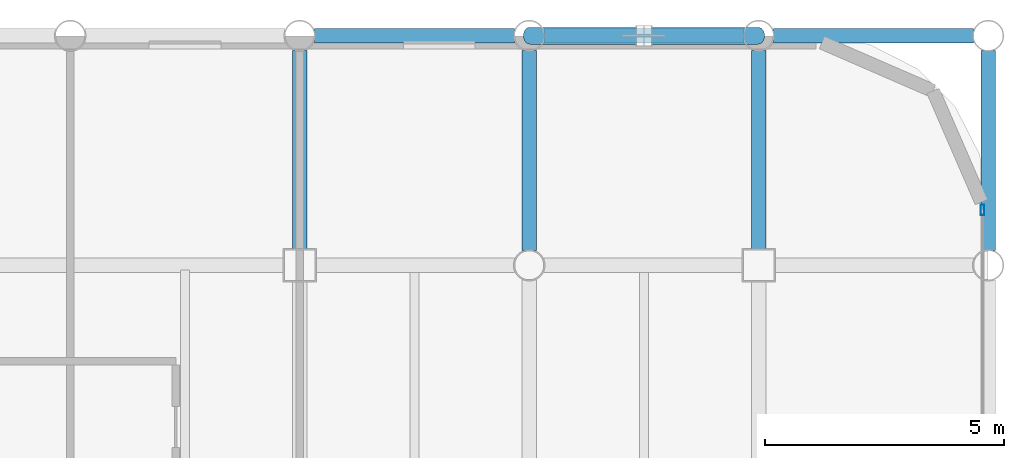
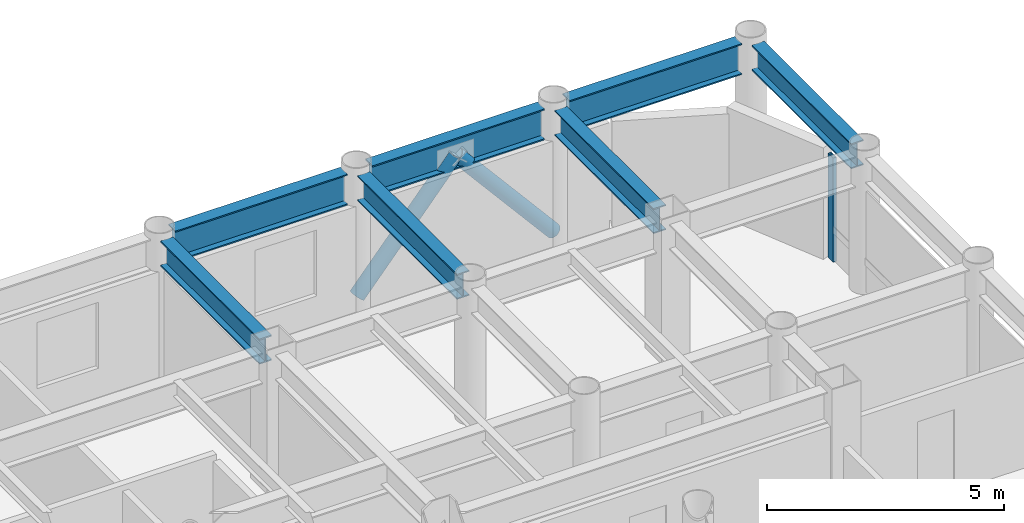
# One storey, part 14 of 20: 7 beams, 3 members, 1 element without a shape of its own.
"""IFC4 building model written with IfcOpenShell, lengths in metres."""

from ifc_helpers import new_model, si_unit, direction, frame, origin, origin_2d, place, context, subcontext, project, spatial, hollow_rectangle, hollow_circle, i_section, extrude, material, layer, layer_set, material_profile, profile_set, type_object, element, aggregate, save


model = new_model("IFC4")

# Units and contexts
model_context = context("Model", 3, precision=1e-05, world=origin(), true_north=direction((0.0, 1.0)))
body_context = subcontext(model_context, "Body", "Model", "MODEL_VIEW")
ifc_project = project(units=[si_unit("LENGTHUNIT", "METRE"), si_unit("AREAUNIT", "SQUARE_METRE"), si_unit("VOLUMEUNIT", "CUBIC_METRE"), si_unit("PLANEANGLEUNIT", "RADIAN"), si_unit("MASSUNIT", "GRAM", prefix="KILO")], contexts=[model_context])

# Site, building, storey
site_placement = place(None, origin())
site = spatial("IfcSite", under=ifc_project, at=site_placement, CompositionType="ELEMENT")
building_placement = place(site_placement, origin())
building = spatial("IfcBuilding", under=site, at=building_placement, Name="Kallvorn Hotel Tower", CompositionType="ELEMENT")
storey_placement = place(building_placement, frame((0.0, 0.0, 161.800048828125)))
storey = spatial("IfcBuildingStorey", under=building, at=storey_placement, Name="L40", CompositionType="ELEMENT", Elevation=161.800048828125)

# Beams
ifc_material_1 = material(Name="Structural steel S355JR", Category="steel")
ifc_material_profile_1 = material_profile(ifc_material_1, i_section(OverallWidth=0.300048828125, OverallDepth=0.64990234375, WebThickness=0.01611328125, FlangeThickness=0.031005859375, at=origin_2d()), Name="HE 650 B")
ifc_profile_set_1 = profile_set([ifc_material_profile_1], Name="Structural steel S355JR")
beam_type_1 = type_object("IfcBeamType", Name="BM_HE650B", PredefinedType="BEAM", material=ifc_profile_set_1)
beam_1_placement = place(storey_placement, frame((14.39990234375, 14.72509765625, 3.195068359375), z_axis=(0.0, 1.0, 0.0), x_axis=(-1.0, 0.0, 0.0)))
element("IfcBeam", 1, at=beam_1_placement, inside=storey, type_object=beam_type_1, Name="L41 Primary Y-Girder 126", PredefinedType="BEAM", context=body_context, shape_type="SweptSolid", body=[
    extrude(i_section(OverallWidth=0.300048828125, OverallDepth=0.64990234375, WebThickness=0.01611328125, FlangeThickness=0.031005859375, at=origin_2d()), origin(), (0.0, 0.0, 1.0), 4.169921875),
])
beam_2_placement = place(storey_placement, frame((19.199951171875, 14.705078125, 3.195068359375), z_axis=(0.0, 1.0, 0.0), x_axis=(-1.0, 0.0, 0.0)))
element("IfcBeam", 2, at=beam_2_placement, inside=storey, type_object=beam_type_1, Name="L41 Primary Y-Girder 135", PredefinedType="BEAM", context=body_context, shape_type="SweptSolid", body=[
    extrude(i_section(OverallWidth=0.300048828125, OverallDepth=0.64990234375, WebThickness=0.01611328125, FlangeThickness=0.031005859375, at=origin_2d()), origin(), (0.0, 0.0, 1.0), 4.18994140625),
])
beam_3_placement = place(storey_placement, frame((24.0, 14.72509765625, 3.195068359375), z_axis=(0.0, 1.0, 0.0), x_axis=(-1.0, 0.0, 0.0)))
element("IfcBeam", 3, at=beam_3_placement, inside=storey, type_object=beam_type_1, Name="L41 Primary Y-Girder 142", PredefinedType="BEAM", context=body_context, shape_type="SweptSolid", body=[
    extrude(i_section(OverallWidth=0.300048828125, OverallDepth=0.64990234375, WebThickness=0.01611328125, FlangeThickness=0.031005859375, at=origin_2d()), origin(), (0.0, 0.0, 1.0), 4.169921875),
])
beam_4_placement = place(storey_placement, frame((28.800048828125, 14.705078125, 3.195068359375), z_axis=(0.0, 1.0, 0.0), x_axis=(-1.0, 0.0, 0.0)))
element("IfcBeam", 4, at=beam_4_placement, inside=storey, type_object=beam_type_1, Name="L41 Primary Y-Girder 150", PredefinedType="BEAM", context=body_context, shape_type="SweptSolid", body=[
    extrude(i_section(OverallWidth=0.300048828125, OverallDepth=0.64990234375, WebThickness=0.01611328125, FlangeThickness=0.031005859375, at=origin_2d()), origin(), (0.0, 0.0, 1.0), 4.18994140625),
])
ifc_material_2 = material(Name="Structural steel S355JR", Category="steel")
ifc_material_profile_2 = material_profile(ifc_material_2, i_section(OverallWidth=0.300048828125, OverallDepth=0.800048828125, WebThickness=0.017578125, FlangeThickness=0.032958984375, at=origin_2d()), Name="HE 800 B")
ifc_profile_set_2 = profile_set([ifc_material_profile_2], Name="Structural steel S355JR")
beam_type_2 = type_object("IfcBeamType", Name="BM_HE800B", PredefinedType="BEAM", material=ifc_profile_set_2)
beam_5_placement = place(storey_placement, frame((14.705078125, 19.199951171875, 3.119873046875), z_axis=(1.0, 0.0, 0.0), x_axis=(0.0, 1.0, 0.0)))
element("IfcBeam", 5, at=beam_5_placement, inside=storey, type_object=beam_type_2, Name="L41 Primary X-Girder 70", PredefinedType="BEAM", context=body_context, shape_type="SweptSolid", body=[
    extrude(i_section(OverallWidth=0.300048828125, OverallDepth=0.800048828125, WebThickness=0.017578125, FlangeThickness=0.032958984375, at=origin_2d()), origin(), (0.0, 0.0, 1.0), 4.18994140625),
])
for number, where, z_axis, x_axis, name in (
    (6, (19.5048828125, 19.199951171875, 3.119873046875), (1.0, 0.0, 0.0), (0.0, 1.0, 0.0), "L41 Primary X-Girder 71"),
    (7, (24.304931640625, 19.199951171875, 3.119873046875), (1.0, 0.0, 0.0), (0.0, 1.0, 0.0), "L41 Primary X-Girder 72"),
):
    element("IfcBeam", number, at=place(storey_placement, frame(where, z_axis=z_axis, x_axis=x_axis)), inside=storey, type_object=beam_type_2, Name=name, PredefinedType="BEAM", context=body_context, shape_type="SweptSolid", body=[
        extrude(i_section(OverallWidth=0.300048828125, OverallDepth=0.800048828125, WebThickness=0.017578125, FlangeThickness=0.032958984375, at=origin_2d()), origin(), (0.0, 0.0, 1.0), 4.190185546875),
    ])

# Curtain wall, member
ifc_material_3 = material(Name="Thermally broken black-anodised aluminium AA 6063-T6", Category="aluminium")
ifc_layer = layer(ifc_material_3, 0.2099609375)
ifc_layer_set = layer_set([ifc_layer], Name="CW_SYS_4_HOTEL_MID")
curtain_wall_type = type_object("IfcCurtainWallType", Name="CW_SYS_4_HOTEL_MID", PredefinedType="USERDEFINED", material=ifc_layer_set)
curtain_wall_placement = place(storey_placement, origin())
curtain_wall = element("IfcCurtainWall", 8, at=curtain_wall_placement, inside=storey, type_object=curtain_wall_type, Name="L40 Dark-Glass Curtain Wall CW-L40-EN", ObjectType="UNITISED CURTAIN WALL", PredefinedType="USERDEFINED")
ifc_material_4 = material(Name="Thermally broken black-anodised aluminium AA 6063-T6", Category="aluminium")
ifc_material_profile_3 = material_profile(ifc_material_4, hollow_rectangle(XDim=0.080078125, YDim=0.219970703125, WallThickness=0.0048828125, at=origin_2d()), Name="MUL 220x80")
ifc_profile_set_3 = profile_set([ifc_material_profile_3], Name="Thermally broken black-anodised aluminium AA 6063-T6")
member_type_1 = type_object("IfcMemberType", Name="CW_MULLION_220x80", PredefinedType="MULLION", material=ifc_profile_set_3)
member_placement = place(storey_placement, frame((28.679931640625, 15.56005859375, 0.02001953125), z_axis=(0.0, 0.0, 1.0), x_axis=(1.0, 0.0, 0.0)))
member = element("IfcMember", 9, at=member_placement, type_object=member_type_1, Name="CW-L40-EN Mullion 01", PredefinedType="MULLION", context=body_context, shape_type="SweptSolid", body=[
    extrude(hollow_rectangle(XDim=0.080078125, YDim=0.219970703125, WallThickness=0.0048828125, at=origin_2d()), origin(), (0.0, 0.0, 1.0), 2.679931640625),
])
aggregate(curtain_wall, [member])

# Members
ifc_material_5 = material(Name="Structural steel S355J2H", Category="steel")
ifc_material_profile_4 = material_profile(ifc_material_5, hollow_circle(Radius=0.177734375, WallThickness=0.01416015625, at=origin_2d()), Name="CHS 355.6x14.2")
ifc_profile_set_4 = profile_set([ifc_material_profile_4], Name="Structural steel S355J2H")
member_type_2 = type_object("IfcMemberType", Name="MBR_EXO_CHS355", PredefinedType="BRACE", material=ifc_profile_set_4)
for number, where, z_axis, x_axis, name in (
    (10, (19.212890625, 19.199951171875, 0.1953125), (0.646833296797, 0.0, 0.762631422218), (0.0, 1.0, 0.0), "L40 Exoskeleton K-Brace N2A"),
    (11, (23.987060546875, 19.199951171875, 0.1953125), (-0.646833296797, 0.0, 0.762631422218), (0.0, -1.0, 0.0), "L40 Exoskeleton K-Brace N2B"),
):
    element("IfcMember", number, at=place(storey_placement, frame(where, z_axis=z_axis, x_axis=x_axis)), inside=storey, type_object=member_type_2, Name=name, PredefinedType="BRACE", context=body_context, shape_type="SweptSolid", body=[
        extrude(hollow_circle(Radius=0.177734375, WallThickness=0.01416015625, at=origin_2d()), origin(), (0.0, 0.0, 1.0), 3.670654296875),
    ])

save(model, "model.ifc")
